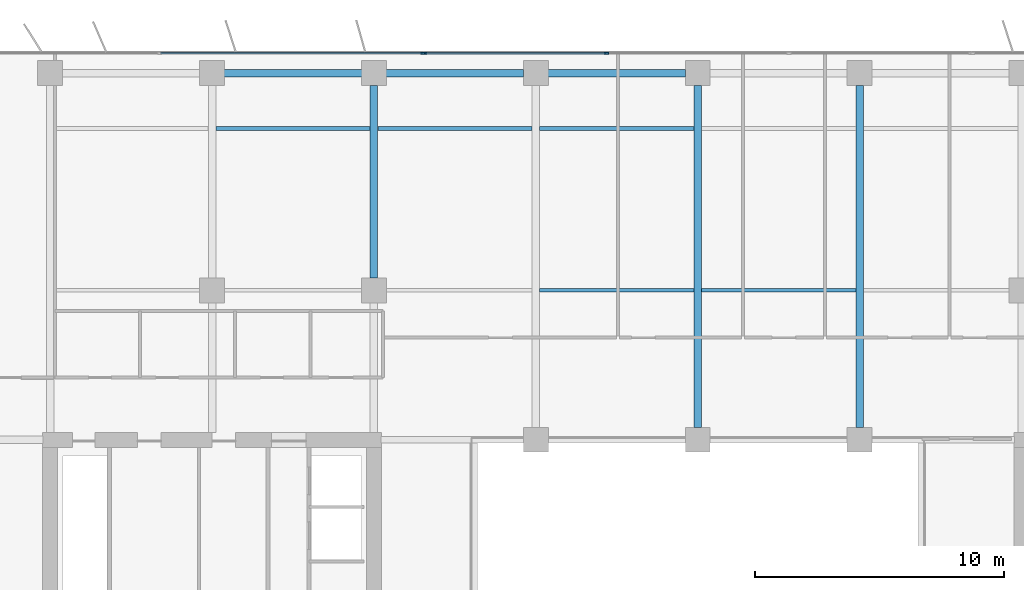
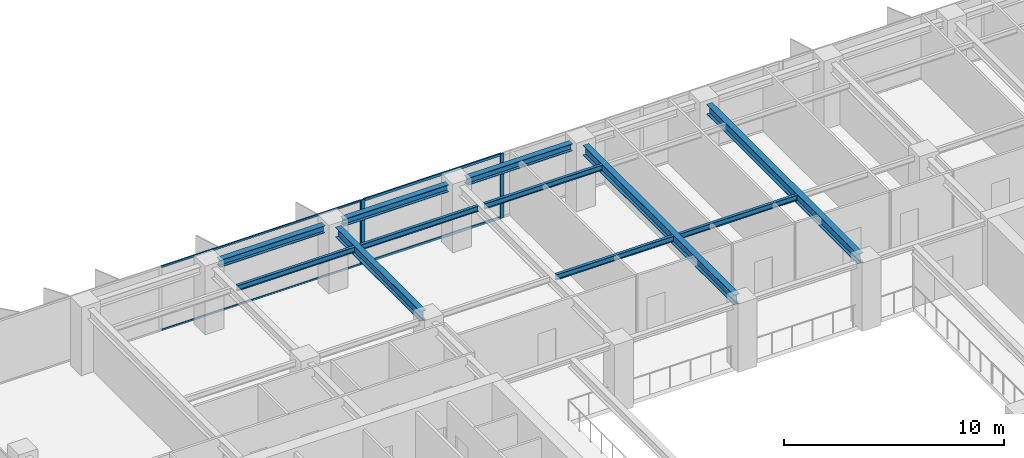
# One storey, part 9 of 22: 11 beams, 7 members, 2 elements without a shape of their own.
"""IFC4 building model written with IfcOpenShell, lengths in metres."""

from ifc_helpers import new_model, si_unit, direction, frame, origin, origin_2d, place, context, subcontext, project, spatial, rectangle, i_section, extrude, material, layer, layer_set, material_profile, profile_set, type_object, element, aggregate, save


model = new_model("IFC4")

# Units and contexts
model_context = context("Model", 3, precision=1e-05, world=origin(), true_north=direction((0.0, 1.0)))
body_context = subcontext(model_context, "Body", "Model", "MODEL_VIEW")
ifc_project = project(units=[si_unit("LENGTHUNIT", "METRE"), si_unit("AREAUNIT", "SQUARE_METRE"), si_unit("VOLUMEUNIT", "CUBIC_METRE"), si_unit("PLANEANGLEUNIT", "RADIAN"), si_unit("MASSUNIT", "GRAM", prefix="KILO")], contexts=[model_context])

# Site, building, storey
site_placement = place(None, origin())
site = spatial("IfcSite", under=ifc_project, at=site_placement, CompositionType="ELEMENT")
building_placement = place(site_placement, origin())
building = spatial("IfcBuilding", under=site, at=building_placement, Name="Putna Gate Headquarters", CompositionType="ELEMENT")
storey_placement = place(building_placement, frame((0.0, 0.0, 189.800048828125)))
storey = spatial("IfcBuildingStorey", under=building, at=storey_placement, Name="L47", CompositionType="ELEMENT", Elevation=189.800048828125)

# Beams
ifc_material_1 = material(Name="Steel S355J2", Category="steel")
ifc_material_profile_1 = material_profile(ifc_material_1, i_section(OverallWidth=0.300048828125, OverallDepth=0.550048828125, WebThickness=0.014892578125, FlangeThickness=0.029052734375, at=origin_2d()), Name="Steel S355J2")
ifc_profile_set_1 = profile_set([ifc_material_profile_1], Name="Steel S355J2")
beam_type_1 = type_object("IfcBeamType", Name="BM-GIRD-Z3-HEB550", PredefinedType="USERDEFINED", material=ifc_profile_set_1)
beam_placement = place(storey_placement, frame((26.0, 39.488037109375, 3.296875), z_axis=(0.0, 1.0, 0.0), x_axis=(-1.0, 0.0, 0.0)))
element("IfcBeam", 1, at=beam_placement, inside=storey, type_object=beam_type_1, Name="L47 North Primary Girder X26-2", ObjectType="GIRDER", PredefinedType="USERDEFINED", context=body_context, shape_type="SweptSolid", body=[
    extrude(i_section(OverallWidth=0.300048828125, OverallDepth=0.550048828125, WebThickness=0.014892578125, FlangeThickness=0.029052734375, at=origin_2d()), origin(), (0.0, 0.0, 1.0), 7.743896484375),
])
for number, where, z_axis, x_axis, name in (
    (2, (39.0, 33.488037109375, 3.296875), (0.0, 1.0, 0.0), (-1.0, 0.0, 0.0), "L47 North Primary Girder X39"),
    (3, (45.5, 33.488037109375, 3.296875), (0.0, 1.0, 0.0), (-1.0, 0.0, 0.0), "L47 North Primary Girder X45"),
):
    element("IfcBeam", number, at=place(storey_placement, frame(where, z_axis=z_axis, x_axis=x_axis)), inside=storey, type_object=beam_type_1, Name=name, ObjectType="GIRDER", PredefinedType="USERDEFINED", context=body_context, shape_type="SweptSolid", body=[
        extrude(i_section(OverallWidth=0.300048828125, OverallDepth=0.550048828125, WebThickness=0.014892578125, FlangeThickness=0.029052734375, at=origin_2d()), origin(), (0.0, 0.0, 1.0), 13.743896484375),
    ])
ifc_material_profile_2 = material_profile(ifc_material_1, i_section(OverallWidth=0.14990234375, OverallDepth=0.300048828125, WebThickness=0.007080078125, FlangeThickness=0.0107421875, at=origin_2d()), Name="Steel S355J2")
ifc_profile_set_2 = profile_set([ifc_material_profile_2], Name="Steel S355J2")
beam_type_2 = type_object("IfcBeamType", Name="BM-SEC-Z3-IPE300", PredefinedType="JOIST", material=ifc_profile_set_2)
for number, where, z_axis, x_axis, name in (
    (4, (19.654052734375, 45.5, 3.421875), (1.0, 0.0, 0.0), (0.0, 1.0, 0.0), "L47 North Secondary Beam 2"),
    (5, (26.154052734375, 45.5, 3.421875), (1.0, 0.0, 0.0), (0.0, 1.0, 0.0), "L47 North Secondary Beam 3"),
    (6, (32.654052734375, 39.0, 3.421875), (1.0, 0.0, 0.0), (0.0, 1.0, 0.0), "L47 North Secondary Beam 4"),
    (7, (32.654052734375, 45.5, 3.421875), (1.0, 0.0, 0.0), (0.0, 1.0, 0.0), "L47 North Secondary Beam 4"),
    (8, (39.154052734375, 39.0, 3.421875), (1.0, 0.0, 0.0), (0.0, 1.0, 0.0), "L47 North Secondary Beam 5"),
):
    element("IfcBeam", number, at=place(storey_placement, frame(where, z_axis=z_axis, x_axis=x_axis)), inside=storey, type_object=beam_type_2, Name=name, PredefinedType="JOIST", context=body_context, shape_type="SweptSolid", body=[
        extrude(i_section(OverallWidth=0.14990234375, OverallDepth=0.300048828125, WebThickness=0.007080078125, FlangeThickness=0.0107421875, at=origin_2d()), origin(), (0.0, 0.0, 1.0), 6.19189453125),
    ])
ifc_material_profile_3 = material_profile(ifc_material_1, i_section(OverallWidth=0.300048828125, OverallDepth=0.39990234375, WebThickness=0.013427734375, FlangeThickness=0.02392578125, at=origin_2d()), Name="Steel S355J2")
ifc_profile_set_3 = profile_set([ifc_material_profile_3], Name="Steel S355J2")
beam_type_3 = type_object("IfcBeamType", Name="BM-SPAN-Z3-HEB400", PredefinedType="SPANDREL", material=ifc_profile_set_3)
for number, where, z_axis, x_axis, name in (
    (9, (19.988037109375, 47.719970703125, 3.3720703125), (1.0, 0.0, 0.0), (0.0, 1.0, 0.0), "L47 N Perimeter Spandrel 2"),
    (10, (26.488037109375, 47.719970703125, 3.3720703125), (1.0, 0.0, 0.0), (0.0, 1.0, 0.0), "L47 N Perimeter Spandrel 3"),
    (11, (32.988037109375, 47.719970703125, 3.3720703125), (1.0, 0.0, 0.0), (0.0, 1.0, 0.0), "L47 N Perimeter Spandrel 4"),
):
    element("IfcBeam", number, at=place(storey_placement, frame(where, z_axis=z_axis, x_axis=x_axis)), inside=storey, type_object=beam_type_3, Name=name, PredefinedType="SPANDREL", context=body_context, shape_type="SweptSolid", body=[
        extrude(i_section(OverallWidth=0.300048828125, OverallDepth=0.39990234375, WebThickness=0.013427734375, FlangeThickness=0.02392578125, at=origin_2d()), origin(), (0.0, 0.0, 1.0), 5.52392578125),
    ])

# Curtain wall, member
ifc_material_2 = material(Name="Anodised bronze aluminium curtain wall", Category="aluminium")
ifc_layer_1 = layer(ifc_material_2, 0.159912109375)
ifc_layer_set_1 = layer_set([ifc_layer_1], Name="Anodised bronze aluminium curtain wall")
curtain_wall_type_1 = type_object("IfcCurtainWallType", Name="CW-SYS-Z3", PredefinedType="USERDEFINED", material=ifc_layer_set_1)
curtain_wall_1_placement = place(storey_placement, origin())
curtain_wall_1 = element("IfcCurtainWall", 12, at=curtain_wall_1_placement, inside=storey, type_object=curtain_wall_type_1, Name="L47 North West Curtain Wall", ObjectType="STICK CURTAIN WALL", PredefinedType="USERDEFINED")
ifc_material_3 = material(Name="Anodised bronze aluminium EN AW-6060", Category="aluminium")
ifc_material_profile_4 = material_profile(ifc_material_3, rectangle(XDim=0.06494140625, YDim=0.159912109375, at=origin_2d()), Name="Anodised bronze aluminium EN AW-6060")
ifc_profile_set_4 = profile_set([ifc_material_profile_4], Name="Anodised bronze aluminium EN AW-6060")
member_type_1 = type_object("IfcMemberType", Name="MULL-CWM-3", PredefinedType="MULLION", material=ifc_profile_set_4)
member_1_placement = place(storey_placement, frame((27.967529296875, 48.52001953125, 0.0), z_axis=(0.0, 0.0, 1.0), x_axis=(0.0, 1.0, 0.0)))
member_1 = element("IfcMember", 13, at=member_1_placement, type_object=member_type_1, Name="CWS-3 mullion 3", PredefinedType="MULLION", context=body_context, shape_type="SweptSolid", body=[
    extrude(rectangle(XDim=0.06494140625, YDim=0.159912109375, at=origin_2d()), origin(), (0.0, 0.0, 1.0), 3.572021484375),
])

# Curtain wall, members
ifc_layer_2 = layer(ifc_material_2, 0.179931640625)
ifc_layer_set_2 = layer_set([ifc_layer_2], Name="Anodised bronze aluminium curtain wall")
curtain_wall_type_2 = type_object("IfcCurtainWallType", Name="CW-SYS-ATR", PredefinedType="USERDEFINED", material=ifc_layer_set_2)
curtain_wall_2_placement = place(storey_placement, origin())
curtain_wall_2 = element("IfcCurtainWall", 14, at=curtain_wall_2_placement, inside=storey, type_object=curtain_wall_type_2, Name="L47 North Atrium Clear Glazing", ObjectType="ATRIUM GLAZING", PredefinedType="USERDEFINED")
ifc_material_profile_5 = material_profile(ifc_material_3, rectangle(XDim=0.070068359375, YDim=0.179931640625, at=origin_2d()), Name="Anodised bronze aluminium EN AW-6060")
ifc_profile_set_5 = profile_set([ifc_material_profile_5], Name="Anodised bronze aluminium EN AW-6060")
member_type_2 = type_object("IfcMemberType", Name="MULL-CWM-AT", PredefinedType="MULLION", material=ifc_profile_set_5)
member_2_placement = place(storey_placement, frame((28.034912109375, 48.52001953125, 0.0), z_axis=(0.0, 0.0, 1.0), x_axis=(0.0, 1.0, 0.0)))
member_2 = element("IfcMember", 15, at=member_2_placement, type_object=member_type_2, Name="CWS-AT mullion 1", PredefinedType="MULLION", context=body_context, shape_type="SweptSolid", body=[
    extrude(rectangle(XDim=0.070068359375, YDim=0.179931640625, at=origin_2d()), origin(), (0.0, 0.0, 1.0), 3.572021484375),
])
member_3_placement = place(storey_placement, frame((35.333251953125, 48.52001953125, 0.0), z_axis=(0.0, 0.0, 1.0), x_axis=(0.0, 1.0, 0.0)))
member_3 = element("IfcMember", 16, at=member_3_placement, type_object=member_type_2, Name="CWS-AT mullion 2", PredefinedType="MULLION", context=body_context, shape_type="SweptSolid", body=[
    extrude(rectangle(XDim=0.070068359375, YDim=0.179931640625, at=origin_2d()), origin(), (0.0, 0.0, 1.0), 3.572021484375),
])

# Member
ifc_material_profile_6 = material_profile(ifc_material_3, rectangle(XDim=0.06005859375, YDim=0.10009765625, at=origin_2d()), Name="Anodised bronze aluminium EN AW-6060")
ifc_profile_set_6 = profile_set([ifc_material_profile_6], Name="Anodised bronze aluminium EN AW-6060")
member_type_3 = type_object("IfcMemberType", Name="TRAN-CWT-3", PredefinedType="USERDEFINED", material=ifc_profile_set_6)
member_4_placement = place(storey_placement, frame((17.4326171875, 48.52001953125, 0.030029296875), z_axis=(1.0, 0.0, 0.0), x_axis=(0.0, 1.0, 0.0)))
member_4 = element("IfcMember", 17, at=member_4_placement, type_object=member_type_3, Name="CWS-3 transom 2.1", ObjectType="TRANSOM", PredefinedType="USERDEFINED", context=body_context, shape_type="SweptSolid", body=[
    extrude(rectangle(XDim=0.06005859375, YDim=0.10009765625, at=origin_2d()), origin(), (0.0, 0.0, 1.0), 10.50244140625),
])

member_5_placement = place(storey_placement, frame((17.4326171875, 48.52001953125, 3.5419921875), z_axis=(1.0, 0.0, 0.0), x_axis=(0.0, 1.0, 0.0)))
member_5 = element("IfcMember", 18, at=member_5_placement, type_object=member_type_3, Name="CWS-3 transom 2.2", ObjectType="TRANSOM", PredefinedType="USERDEFINED", context=body_context, shape_type="SweptSolid", body=[
    extrude(rectangle(XDim=0.06005859375, YDim=0.10009765625, at=origin_2d()), origin(), (0.0, 0.0, 1.0), 10.50244140625),
])

aggregate(curtain_wall_1, [member_1, member_4, member_5])

ifc_material_profile_7 = material_profile(ifc_material_3, rectangle(XDim=0.070068359375, YDim=0.139892578125, at=origin_2d()), Name="Anodised bronze aluminium EN AW-6060")
ifc_profile_set_7 = profile_set([ifc_material_profile_7], Name="Anodised bronze aluminium EN AW-6060")
member_type_4 = type_object("IfcMemberType", Name="TRAN-CWT-AT", PredefinedType="USERDEFINED", material=ifc_profile_set_7)
member_6_placement = place(storey_placement, frame((28.070068359375, 48.52001953125, 0.034912109375), z_axis=(1.0, 0.0, 0.0), x_axis=(0.0, 1.0, 0.0)))
member_6 = element("IfcMember", 19, at=member_6_placement, type_object=member_type_4, Name="CWS-AT transom 1.1", ObjectType="TRANSOM", PredefinedType="USERDEFINED", context=body_context, shape_type="SweptSolid", body=[
    extrude(rectangle(XDim=0.070068359375, YDim=0.139892578125, at=origin_2d()), origin(), (0.0, 0.0, 1.0), 7.228271484375),
])

member_7_placement = place(storey_placement, frame((28.070068359375, 48.52001953125, 3.536865234375), z_axis=(1.0, 0.0, 0.0), x_axis=(0.0, 1.0, 0.0)))
member_7 = element("IfcMember", 20, at=member_7_placement, type_object=member_type_4, Name="CWS-AT transom 1.2", ObjectType="TRANSOM", PredefinedType="USERDEFINED", context=body_context, shape_type="SweptSolid", body=[
    extrude(rectangle(XDim=0.070068359375, YDim=0.139892578125, at=origin_2d()), origin(), (0.0, 0.0, 1.0), 7.228271484375),
])

aggregate(curtain_wall_2, [member_2, member_3, member_6, member_7])

save(model, "model.ifc")
